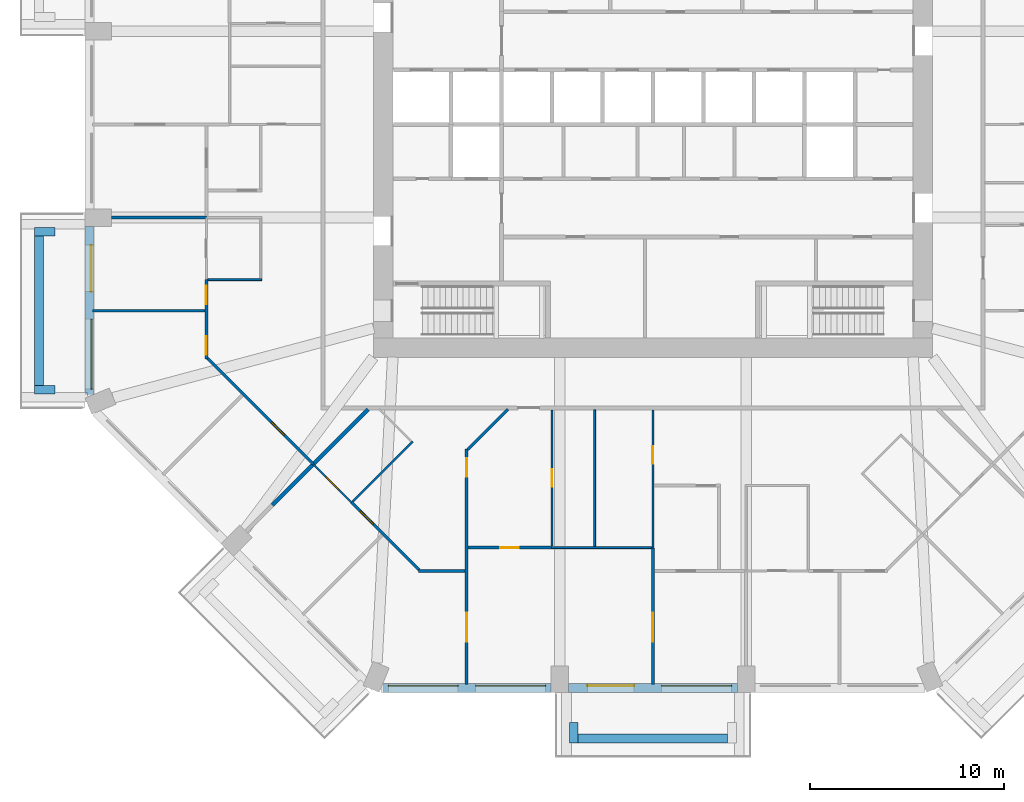
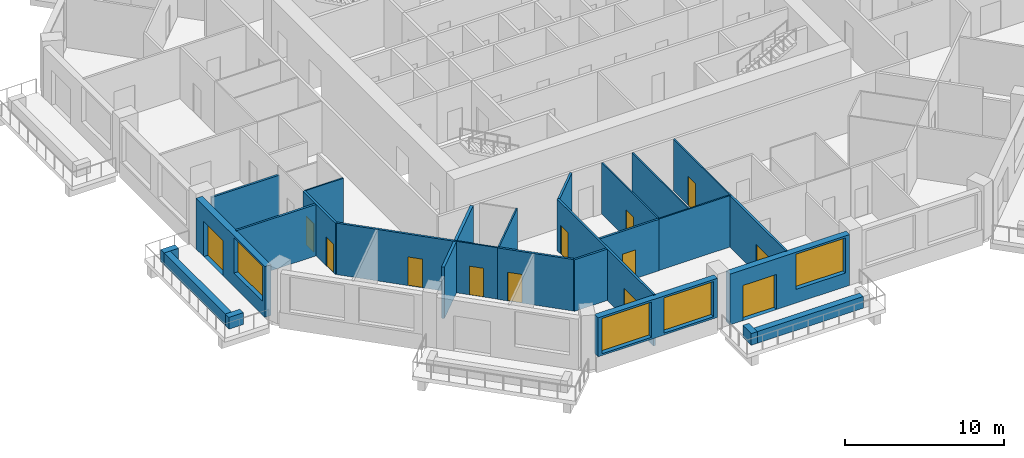
# One storey, part 3 of 13: 26 walls, 13 doors, 4 windows, 17 openings.
"""IFC4 building model written with IfcOpenShell, lengths in metres."""

import ifcopenshell
import ifcopenshell.guid

model = None  # the IFC model being written
_history = None  # IfcOwnerHistory: only IFC2X3 demands one
_inside = {}  # id of a spatial element -> (the spatial element, [elements in it])
_under = {}  # id of a project, library or spatial element -> (it, [spatial elements below it])
_declared = {}  # id of a project -> (the project, [libraries it declares])
_typed = {}  # id of a type object -> (the type object, [elements of that type])
_made_of = {}  # id of a material, layer set ... -> (it, [elements and type objects made of it])


def new_model(schema):
    """Start an empty IFC model of exactly this schema.

    Asked for "IFC4X3", IfcOpenShell would pick the latest addendum, in which some entities
    have other attributes; the version numbers below select the first issue.
    IFC2X3 requires an IfcOwnerHistory on every rooted entity: one is made here for all.
    """
    global model, _history
    if schema == "IFC4X3":
        model = ifcopenshell.file(schema_version=(4, 3, 0, 0))
    else:
        model = ifcopenshell.file(schema=schema)
    _inside.clear()
    _under.clear()
    _declared.clear()
    _typed.clear()
    _made_of.clear()
    _history = None
    if model.schema == "IFC2X3":
        org = make("IfcOrganization", Name="unknown")
        user = make(
            "IfcPersonAndOrganization",
            ThePerson=make("IfcPerson", FamilyName="unknown"),
            TheOrganization=org,
        )
        app = make(
            "IfcApplication",
            ApplicationDeveloper=org,
            Version="unknown",
            ApplicationFullName="unknown",
            ApplicationIdentifier="unknown",
        )
        _history = make(
            "IfcOwnerHistory",
            OwningUser=user,
            OwningApplication=app,
            ChangeAction="ADDED",
            CreationDate=0,
        )
    return model


def make(cls, **values):
    """One entity of the class cls with the attributes given. An attribute that is None is left unset."""
    return model.create_entity(
        cls, **{name: value for name, value in values.items() if value is not None}
    )


def rooted(cls, **values):
    """An entity with a GlobalId (a new one), such as an element, a storey or a relation."""
    return make(cls, GlobalId=ifcopenshell.guid.new(), OwnerHistory=_history, **values)


def si_unit(unit_type, name, prefix=None):
    """IfcSIUnit, for example si_unit("LENGTHUNIT", "METRE", prefix="MILLI")."""
    return make("IfcSIUnit", UnitType=unit_type, Prefix=prefix, Name=name)


def assignment(units):
    """IfcUnitAssignment: the units of a project."""
    return None if units is None else make("IfcUnitAssignment", Units=units)


def point(xyz):
    """IfcCartesianPoint."""
    return None if xyz is None else make("IfcCartesianPoint", Coordinates=xyz)


def direction(xyz):
    """IfcDirection."""
    return None if xyz is None else make("IfcDirection", DirectionRatios=xyz)


def frame(location, z_axis=None, x_axis=None):
    """IfcAxis2Placement3D, a coordinate frame: its origin and axes. An axis left out is left unset."""
    return make(
        "IfcAxis2Placement3D",
        Location=point(location),
        Axis=direction(z_axis),
        RefDirection=direction(x_axis),
    )


def frame_2d(location, x_axis=None):
    """IfcAxis2Placement2D, a coordinate frame in the plane: its origin and x axis."""
    return make(
        "IfcAxis2Placement2D", Location=point(location), RefDirection=direction(x_axis)
    )


def origin():
    """The frame at (0, 0, 0) with its axes left unset."""
    return frame((0.0, 0.0, 0.0))


def place(relative_to, where):
    """IfcLocalPlacement: puts the frame where relative to a parent placement (None: the world)."""
    return make(
        "IfcLocalPlacement", PlacementRelTo=relative_to, RelativePlacement=where
    )


def context(
    kind, dimensions, precision=None, world=None, true_north=None, identifier=None
):
    """IfcGeometricRepresentationContext, for example the 3D "Model" context."""
    return make(
        "IfcGeometricRepresentationContext",
        ContextIdentifier=identifier,
        ContextType=kind,
        CoordinateSpaceDimension=dimensions,
        Precision=precision,
        WorldCoordinateSystem=world,
        TrueNorth=true_north,
    )


def subcontext(parent, identifier, kind, view, scale=None):
    """IfcGeometricRepresentationSubContext, for example "Body" below "Model"."""
    return make(
        "IfcGeometricRepresentationSubContext",
        ContextIdentifier=identifier,
        ContextType=kind,
        ParentContext=parent,
        TargetScale=scale,
        TargetView=view,
    )


def project(units=None, contexts=None):
    """IfcProject with its units and contexts."""
    return rooted(
        "IfcProject",
        Name="project",
        RepresentationContexts=contexts,
        UnitsInContext=assignment(units),
    )


def spatial(cls, under=None, at=None, **own):
    """A site, building, storey or space (cls), placed at a placement, below another one or the project."""
    s = rooted(cls, ObjectPlacement=at, **own)
    if under is not None:
        _under.setdefault(under.id(), (under, []))[1].append(s)
    return s


def profile(cls, at=None, kind="AREA", **sizes):
    """A parametric profile (cls). Its sizes go by their IFC names, for example OverallWidth=200.0."""
    return make(cls, ProfileType=kind, Position=at, **sizes)


def rectangle(**sizes):
    """IfcRectangleProfileDef."""
    return profile("IfcRectangleProfileDef", **sizes)


def extrude(swept, where, along, depth):
    """IfcExtrudedAreaSolid: the profile swept, set in the frame where, extruded along a direction by depth."""
    return make(
        "IfcExtrudedAreaSolid",
        SweptArea=swept,
        Position=where,
        ExtrudedDirection=direction(along),
        Depth=depth,
    )


def shape(context_of_items, identifier, shape_type, items):
    """IfcShapeRepresentation: the items that make up one representation, for example the "Body"."""
    return make(
        "IfcShapeRepresentation",
        ContextOfItems=context_of_items,
        RepresentationIdentifier=identifier,
        RepresentationType=shape_type,
        Items=items,
    )


def material(Name=None, Category=None):
    """IfcMaterial."""
    return make("IfcMaterial", Name=Name, Category=Category)


def layer(
    of_material, thickness, ventilated=None, Name=None, Category=None, Priority=None
):
    """IfcMaterialLayer: one layer of a wall or slab, of a material (None: an air gap)."""
    return make(
        "IfcMaterialLayer",
        Material=of_material,
        LayerThickness=thickness,
        IsVentilated=ventilated,
        Name=Name,
        Category=Category,
        Priority=Priority,
    )


def layer_set(layers, Name=None):
    """IfcMaterialLayerSet."""
    return make("IfcMaterialLayerSet", MaterialLayers=layers, LayerSetName=Name)


def made_of(thing, what):
    """Note that an element or type object is made of a material, layer set ...; save() writes the relation."""
    if what is not None:
        _made_of.setdefault(what.id(), (what, []))[1].append(thing)
    return thing


def type_object(cls, material=None, **own):
    """A type object (cls), such as IfcWallType, which elements share."""
    return made_of(rooted(cls, **own), material)


def element(
    cls,
    number,
    at=None,
    inside=None,
    cuts=None,
    type_object=None,
    material=None,
    context=None,
    identifier="Body",
    shape_type=None,
    held_by="IfcProductDefinitionShape",
    body=None,
    shapes=None,
    **own,
):
    """One element of the class cls, such as IfcWall. Its Tag is "e" and its number.

    at: its placement. inside: the storey or other place that contains it. cuts: it is an
    opening in that element (IfcRelVoidsElement). A single representation is given by context,
    identifier, shape_type and body (its items); several are given by shapes. held_by: the class
    of the entity that holds the representations. save() writes the other relations.
    """
    e = rooted(cls, Tag="e%d" % number, ObjectPlacement=at, **own)
    if body is not None:
        shapes = [shape(context, identifier, shape_type, body)]
    if shapes is not None:
        e.Representation = make(held_by, Representations=shapes)
    if inside is not None:
        _inside.setdefault(inside.id(), (inside, []))[1].append(e)
    if cuts is not None:
        rooted(
            "IfcRelVoidsElement", RelatingBuildingElement=cuts, RelatedOpeningElement=e
        )
    if type_object is not None:
        _typed.setdefault(type_object.id(), (type_object, []))[1].append(e)
    return made_of(e, material)


def fill(opening, filler):
    """IfcRelFillsElement: the door or window that sits in an opening."""
    return rooted(
        "IfcRelFillsElement",
        RelatingOpeningElement=opening,
        RelatedBuildingElement=filler,
    )


def aggregate(whole, parts):
    """IfcRelAggregates: a whole, such as a stair, and the parts it consists of."""
    return rooted("IfcRelAggregates", RelatingObject=whole, RelatedObjects=parts)


def save(model, path):
    """Write the relations noted so far, then the file.

    IfcRelAggregates (storeys below a building ...), IfcRelContainedInSpatialStructure (elements
    in a storey), IfcRelDefinesByType, IfcRelAssociatesMaterial and IfcRelDeclares: one each for
    every whole, place, type object, material and project.
    """
    for whole, parts in _under.values():
        aggregate(whole, parts)
    for where, things in _inside.values():
        rooted(
            "IfcRelContainedInSpatialStructure",
            RelatedElements=things,
            RelatingStructure=where,
        )
    for kind, things in _typed.values():
        rooted("IfcRelDefinesByType", RelatedObjects=things, RelatingType=kind)
    for what, things in _made_of.values():
        rooted("IfcRelAssociatesMaterial", RelatedObjects=things, RelatingMaterial=what)
    for by, libraries in _declared.values():
        rooted("IfcRelDeclares", RelatingContext=by, RelatedDefinitions=libraries)
    model.write(path)


model = new_model("IFC4")

# Units and contexts
model_context = context("Model", 3, precision=1e-05, world=origin(), true_north=direction((0.0, 1.0)))
body_context = subcontext(model_context, "Body", "Model", "MODEL_VIEW")
ifc_project = project(units=[si_unit("LENGTHUNIT", "METRE"), si_unit("AREAUNIT", "SQUARE_METRE"), si_unit("VOLUMEUNIT", "CUBIC_METRE"), si_unit("PLANEANGLEUNIT", "RADIAN"), si_unit("MASSUNIT", "GRAM", prefix="KILO")], contexts=[model_context])

# Site, building, storey
site_placement = place(None, origin())
site = spatial("IfcSite", under=ifc_project, at=site_placement, CompositionType="ELEMENT")
building_placement = place(site_placement, origin())
building = spatial("IfcBuilding", under=site, at=building_placement, Name="Msitu Wima Residences", CompositionType="ELEMENT")
storey_placement = place(building_placement, frame((0.0, 0.0, 25.5)))
storey = spatial("IfcBuildingStorey", under=building, at=storey_placement, Name="L05", CompositionType="ELEMENT", Elevation=25.5)

# Walls
ifc_material_1 = material(Name="Facing brick")
ifc_layer_1 = layer(ifc_material_1, 0.06494140625, Name="Facing brick")
ifc_material_2 = material(Name="Concrete C40/50", Category="concrete")
ifc_layer_2 = layer(ifc_material_2, 0.156005859375, Name="Concrete C40/50")
ifc_material_3 = material(Name="Waterproofing membrane")
ifc_layer_3 = layer(ifc_material_3, 0.00390625, Name="Waterproofing membrane")
ifc_material_4 = material(Name="Planting soil and planting")
ifc_layer_4 = layer(ifc_material_4, 0.22509765625, Name="Planting soil and planting")
ifc_layer_set_1 = layer_set([ifc_layer_1, ifc_layer_2, ifc_layer_3, ifc_layer_4], Name="Concrete C40/50")
wall_type_1 = type_object("IfcWallType", Name="Balcony planter PLANTER PL450", PredefinedType="USERDEFINED", material=ifc_layer_set_1)
wall_1_placement = place(storey_placement, frame((-31.625, -5.75, 0.0), z_axis=(0.0, 0.0, 1.0), x_axis=(0.0, -1.0, 0.0)))
element("IfcWall", 1, at=wall_1_placement, inside=storey, type_object=wall_type_1, Name="Balcony planter W2 L05", ObjectType="PLANTER", PredefinedType="USERDEFINED", context=body_context, shape_type="SweptSolid", body=[
    extrude(rectangle(XDim=7.699951171875, YDim=0.449951171875, at=frame_2d((3.85009765625, 0.0))), origin(), (0.0, 0.0, 1.0), 0.89990234375),
])
for number, where, z_axis, x_axis, name in (
    (2, (-30.800048828125, -5.52490234375, 0.0), (0.0, 0.0, 1.0), (-1.0, 0.0, 0.0), "Balcony planter W2 L05"),
    (3, (-30.800048828125, -13.675048828125, 0.0), (0.0, 0.0, 1.0), (-1.0, 0.0, 0.0), "Balcony planter W2 L05"),
):
    element("IfcWall", number, at=place(storey_placement, frame(where, z_axis=z_axis, x_axis=x_axis)), inside=storey, type_object=wall_type_1, Name=name, ObjectType="PLANTER", PredefinedType="USERDEFINED", context=body_context, shape_type="SweptSolid", body=[
        extrude(rectangle(XDim=1.050048828125, YDim=0.449951171875, at=frame_2d((0.52490234375, 0.0))), origin(), (0.0, 0.0, 1.0), 0.89990234375),
    ])
wall_2_placement = place(storey_placement, frame((-3.85009765625, -31.625, 0.0), z_axis=(0.0, 0.0, 1.0), x_axis=(1.0, 0.0, 0.0)))
element("IfcWall", 4, at=wall_2_placement, inside=storey, type_object=wall_type_1, Name="Balcony planter S1 L05", ObjectType="PLANTER", PredefinedType="USERDEFINED", context=body_context, shape_type="SweptSolid", body=[
    extrude(rectangle(XDim=7.7001953125, YDim=0.449951171875, at=frame_2d((3.85009765625, 0.0))), origin(), (0.0, 0.0, 1.0), 0.89990234375),
])
wall_3_placement = place(storey_placement, frame((-4.074951171875, -30.800048828125, 0.0), z_axis=(0.0, 0.0, 1.0), x_axis=(0.0, -1.0, 0.0)))
element("IfcWall", 5, at=wall_3_placement, inside=storey, type_object=wall_type_1, Name="Balcony planter S1 L05", ObjectType="PLANTER", PredefinedType="USERDEFINED", context=body_context, shape_type="SweptSolid", body=[
    extrude(rectangle(XDim=1.050048828125, YDim=0.449951171875, at=frame_2d((0.52490234375, 0.0))), origin(), (0.0, 0.0, 1.0), 0.89990234375),
])

# Wall, openings, door, window
ifc_material_5 = material(Name="Brick (red buff mix)", Category="masonry")
ifc_layer_5 = layer(ifc_material_5, 0.449951171875)
ifc_layer_set_2 = layer_set([ifc_layer_5], Name="Brick (red buff mix)")
wall_type_2 = type_object("IfcWallType", Name="Brick infill wall BW450", PredefinedType="SOLIDWALL", material=ifc_layer_set_2)
wall_4_placement = place(storey_placement, frame((-29.02490234375, -5.25, 0.0), z_axis=(0.0, 0.0, 1.0), x_axis=(0.0, -1.0, 0.0)))
wall_4 = element("IfcWall", 6, at=wall_4_placement, inside=storey, type_object=wall_type_2, Name="Brick infill wall L05 W2", PredefinedType="SOLIDWALL", context=body_context, shape_type="SweptSolid", body=[
    extrude(rectangle(XDim=8.662841796875, YDim=0.449951171875, at=frame_2d((4.33154296875, 0.0))), origin(), (0.0, 0.0, 1.0), 3.89990234375),
])
opening_1_placement = place(wall_4_placement, frame((0.9658203125, 0.0, 0.0)))
opening_1 = element("IfcOpeningElement", 7, at=opening_1_placement, cuts=wall_4, Name="Opening D05-07.010", PredefinedType="OPENING", context=body_context, shape_type="SweptSolid", body=[
    extrude(rectangle(XDim=2.39990234375, YDim=2.699951171875, at=frame_2d((1.199951171875, 1.35009765625))), frame((0.0, 0.23486328125, 0.0), z_axis=(0.0, -1.0, 0.0), x_axis=(1.0, 0.0, 0.0)), (0.0, 0.0, 1.0), 0.469970703125),
])
opening_2_placement = place(wall_4_placement, frame((4.781494140625, 0.0, 1.050048828125)))
opening_2 = element("IfcOpeningElement", 8, at=opening_2_placement, cuts=wall_4, Name="Opening W05-07.030", PredefinedType="OPENING", context=body_context, shape_type="SweptSolid", body=[
    extrude(rectangle(XDim=3.60009765625, YDim=2.699951171875, at=frame_2d((1.800048828125, 1.35009765625))), frame((0.0, 0.23486328125, 0.0), z_axis=(0.0, -1.0, 0.0), x_axis=(1.0, 0.0, 0.0)), (0.0, 0.0, 1.0), 0.469970703125),
])
ifc_material_6 = material(Name="Anodised aluminium, bronze finish, clear low-emissivity double glazing", Category="aluminium")
door_type_1 = type_object("IfcDoorType", Name="Balcony door D2400x2700", OperationType="SLIDING_TO_LEFT", PredefinedType="DOOR", material=ifc_material_6)
door_1_placement = place(opening_1_placement, origin())
door_1 = element("IfcDoor", 9, at=door_1_placement, inside=storey, type_object=door_type_1, Name="Balcony door L05 W2", OperationType="SINGLE_SWING_LEFT", OverallHeight=2.699951171875, OverallWidth=2.39990234375, PredefinedType="DOOR", context=body_context, shape_type="SweptSolid", body=[
    extrude(rectangle(XDim=2.39990234375, YDim=2.699951171875, at=frame_2d((1.199951171875, 1.35009765625))), frame((0.0, 0.1298828125, 0.0), z_axis=(0.0, -1.0, 0.0), x_axis=(1.0, 0.0, 0.0)), (0.0, 0.0, 1.0), 0.050048828125),
])
fill(opening_1, door_1)
window_type = type_object("IfcWindowType", Name="Window W3600x2700", PartitioningType="DOUBLE_PANEL_VERTICAL", PredefinedType="WINDOW", material=ifc_material_6)
window_1_placement = place(opening_2_placement, origin())
window_1 = element("IfcWindow", 10, at=window_1_placement, inside=storey, type_object=window_type, Name="Window L05 W2.2", OverallHeight=2.699951171875, OverallWidth=3.60009765625, PartitioningType="SINGLE_PANEL", PredefinedType="WINDOW", context=body_context, shape_type="SweptSolid", body=[
    extrude(rectangle(XDim=3.60009765625, YDim=2.699951171875, at=frame_2d((1.800048828125, 1.35009765625))), frame((0.0, 0.135009765625, 0.0), z_axis=(0.0, -1.0, 0.0), x_axis=(1.0, 0.0, 0.0)), (0.0, 0.0, 1.0), 0.06005859375),
])
fill(opening_2, window_1)

# Wall, openings, windows
wall_5_placement = place(storey_placement, frame((-13.912841796875, -29.02490234375, 0.89990234375), z_axis=(0.0, 0.0, 1.0), x_axis=(1.0, 0.0, 0.0)))
wall_5 = element("IfcWall", 11, at=wall_5_placement, inside=storey, type_object=wall_type_2, Name="Brick infill wall L05 S0", PredefinedType="SOLIDWALL", context=body_context, shape_type="SweptSolid", body=[
    extrude(rectangle(XDim=8.662841796875, YDim=0.449951171875, at=frame_2d((4.33154296875, 0.0))), origin(), (0.0, 0.0, 1.0), 3.0),
])
opening_3_placement = place(wall_5_placement, frame((0.281494140625, 0.0, 0.14990234375)))
opening_3 = element("IfcOpeningElement", 12, at=opening_3_placement, cuts=wall_5, Name="Opening W05-07.016", PredefinedType="OPENING", context=body_context, shape_type="SweptSolid", body=[
    extrude(rectangle(XDim=3.60009765625, YDim=2.699951171875, at=frame_2d((1.800048828125, 1.35009765625))), frame((0.0, 0.23486328125, 0.0), z_axis=(0.0, -1.0, 0.0), x_axis=(1.0, 0.0, 0.0)), (0.0, 0.0, 1.0), 0.469970703125),
])
opening_4_placement = place(wall_5_placement, frame((4.781494140625, 0.0, 0.14990234375)))
opening_4 = element("IfcOpeningElement", 13, at=opening_4_placement, cuts=wall_5, Name="Opening W05-07.017", PredefinedType="OPENING", context=body_context, shape_type="SweptSolid", body=[
    extrude(rectangle(XDim=3.60009765625, YDim=2.699951171875, at=frame_2d((1.800048828125, 1.35009765625))), frame((0.0, 0.23486328125, 0.0), z_axis=(0.0, -1.0, 0.0), x_axis=(1.0, 0.0, 0.0)), (0.0, 0.0, 1.0), 0.469970703125),
])
window_2_placement = place(opening_3_placement, origin())
window_2 = element("IfcWindow", 14, at=window_2_placement, inside=storey, type_object=window_type, Name="Window L05 S0.1", OverallHeight=2.699951171875, OverallWidth=3.60009765625, PartitioningType="SINGLE_PANEL", PredefinedType="WINDOW", context=body_context, shape_type="SweptSolid", body=[
    extrude(rectangle(XDim=3.60009765625, YDim=2.699951171875, at=frame_2d((1.800048828125, 1.35009765625))), frame((0.0, 0.135009765625, 0.0), z_axis=(0.0, -1.0, 0.0), x_axis=(1.0, 0.0, 0.0)), (0.0, 0.0, 1.0), 0.06005859375),
])
fill(opening_3, window_2)
window_3_placement = place(opening_4_placement, origin())
window_3 = element("IfcWindow", 15, at=window_3_placement, inside=storey, type_object=window_type, Name="Window L05 S0.2", OverallHeight=2.699951171875, OverallWidth=3.60009765625, PartitioningType="SINGLE_PANEL", PredefinedType="WINDOW", context=body_context, shape_type="SweptSolid", body=[
    extrude(rectangle(XDim=3.60009765625, YDim=2.699951171875, at=frame_2d((1.800048828125, 1.35009765625))), frame((0.0, 0.135009765625, 0.0), z_axis=(0.0, -1.0, 0.0), x_axis=(1.0, 0.0, 0.0)), (0.0, 0.0, 1.0), 0.06005859375),
])
fill(opening_4, window_3)

# Wall, openings, door, window
wall_6_placement = place(storey_placement, frame((-4.35009765625, -29.02490234375, 0.0), z_axis=(0.0, 0.0, 1.0), x_axis=(1.0, 0.0, 0.0)))
wall_6 = element("IfcWall", 16, at=wall_6_placement, inside=storey, type_object=wall_type_2, Name="Brick infill wall L05 S1", PredefinedType="SOLIDWALL", context=body_context, shape_type="SweptSolid", body=[
    extrude(rectangle(XDim=8.7001953125, YDim=0.449951171875, at=frame_2d((4.35009765625, 0.0))), origin(), (0.0, 0.0, 1.0), 3.89990234375),
])
opening_5_placement = place(wall_6_placement, frame((0.97509765625, 0.0, 0.0)))
opening_5 = element("IfcOpeningElement", 17, at=opening_5_placement, cuts=wall_6, Name="Opening D05-07.006", PredefinedType="OPENING", context=body_context, shape_type="SweptSolid", body=[
    extrude(rectangle(XDim=2.39990234375, YDim=2.699951171875, at=frame_2d((1.199951171875, 1.35009765625))), frame((0.0, 0.23486328125, 0.0), z_axis=(0.0, -1.0, 0.0), x_axis=(1.0, 0.0, 0.0)), (0.0, 0.0, 1.0), 0.469970703125),
])
opening_6_placement = place(wall_6_placement, frame((4.800048828125, 0.0, 1.050048828125)))
opening_6 = element("IfcOpeningElement", 18, at=opening_6_placement, cuts=wall_6, Name="Opening W05-07.018", PredefinedType="OPENING", context=body_context, shape_type="SweptSolid", body=[
    extrude(rectangle(XDim=3.60009765625, YDim=2.699951171875, at=frame_2d((1.800048828125, 1.35009765625))), frame((0.0, 0.23486328125, 0.0), z_axis=(0.0, -1.0, 0.0), x_axis=(1.0, 0.0, 0.0)), (0.0, 0.0, 1.0), 0.469970703125),
])
door_2_placement = place(opening_5_placement, origin())
door_2 = element("IfcDoor", 19, at=door_2_placement, inside=storey, type_object=door_type_1, Name="Balcony door L05 S1", OperationType="SINGLE_SWING_LEFT", OverallHeight=2.699951171875, OverallWidth=2.39990234375, PredefinedType="DOOR", context=body_context, shape_type="SweptSolid", body=[
    extrude(rectangle(XDim=2.39990234375, YDim=2.699951171875, at=frame_2d((1.199951171875, 1.35009765625))), frame((0.0, 0.1298828125, 0.0), z_axis=(0.0, -1.0, 0.0), x_axis=(1.0, 0.0, 0.0)), (0.0, 0.0, 1.0), 0.050048828125),
])
fill(opening_5, door_2)
window_4_placement = place(opening_6_placement, origin())
window_4 = element("IfcWindow", 20, at=window_4_placement, inside=storey, type_object=window_type, Name="Window L05 S1.2", OverallHeight=2.699951171875, OverallWidth=3.60009765625, PartitioningType="SINGLE_PANEL", PredefinedType="WINDOW", context=body_context, shape_type="SweptSolid", body=[
    extrude(rectangle(XDim=3.60009765625, YDim=2.699951171875, at=frame_2d((1.800048828125, 1.35009765625))), frame((0.0, 0.135009765625, 0.0), z_axis=(0.0, -1.0, 0.0), x_axis=(1.0, 0.0, 0.0)), (0.0, 0.0, 1.0), 0.06005859375),
])
fill(opening_6, window_4)

# Walls
ifc_material_7 = material(Name="Plaster")
ifc_layer_6 = layer(ifc_material_7, 0.011962890625, Name="Plaster")
ifc_material_8 = material(Name="Concrete blockwork", Category="masonry")
ifc_layer_7 = layer(ifc_material_8, 0.1259765625, Name="Concrete blockwork")
ifc_layer_8 = layer(ifc_material_7, 0.011962890625, Name="Plaster")
ifc_layer_set_3 = layer_set([ifc_layer_6, ifc_layer_7, ifc_layer_8], Name="Concrete blockwork")
wall_type_3 = type_object("IfcWallType", Name="Partition PW150", PredefinedType="PARTITIONING", material=ifc_layer_set_3)
wall_7_placement = place(storey_placement, frame((-28.85498046875, -9.60009765625, 0.0), z_axis=(0.0, 0.0, 1.0), x_axis=(1.0, 0.0, 0.0)))
element("IfcWall", 21, at=wall_7_placement, inside=storey, type_object=wall_type_3, Name="Partition", PredefinedType="PARTITIONING", context=body_context, shape_type="SweptSolid", body=[
    extrude(rectangle(XDim=5.780029296875, YDim=0.14990234375, at=frame_2d((2.89013671875, 0.0))), origin(), (0.0, 0.0, 1.0), 3.949951171875),
])
wall_8_placement = place(storey_placement, frame((-27.89990234375, -4.800048828125, 0.0), z_axis=(0.0, 0.0, 1.0), x_axis=(1.0, 0.0, 0.0)))
element("IfcWall", 22, at=wall_8_placement, inside=storey, type_object=wall_type_3, Name="Partition", PredefinedType="PARTITIONING", context=body_context, shape_type="SweptSolid", body=[
    extrude(rectangle(XDim=4.919921875, YDim=0.14990234375, at=frame_2d((2.4599609375, 0.0))), origin(), (0.0, 0.0, 1.0), 3.25),
])

# Wall, openings, doors
wall_9_placement = place(storey_placement, frame((-23.0, -12.072509765625, 0.0), z_axis=(0.0, 0.0, 1.0), x_axis=(0.0, 1.0, 0.0)))
wall_9 = element("IfcWall", 23, at=wall_9_placement, inside=storey, type_object=wall_type_3, Name="Partition", PredefinedType="PARTITIONING", context=body_context, shape_type="SweptSolid", body=[
    extrude(rectangle(XDim=4.072509765625, YDim=0.14990234375, at=frame_2d((2.0361328125, 0.0))), origin(), (0.0, 0.0, 1.0), 3.949951171875),
])
opening_7_placement = place(wall_9_placement, frame((2.800048828125, 0.0, 0.0)))
opening_7 = element("IfcOpeningElement", 24, at=opening_7_placement, cuts=wall_9, Name="Opening D05-07.073", PredefinedType="OPENING", context=body_context, shape_type="SweptSolid", body=[
    extrude(rectangle(XDim=0.949951171875, YDim=2.199951171875, at=frame_2d((0.47509765625, 1.10009765625))), frame((0.0, 0.0849609375, 0.0), z_axis=(0.0, -1.0, 0.0), x_axis=(1.0, 0.0, 0.0)), (0.0, 0.0, 1.0), 0.169921875),
])
opening_8_placement = place(wall_9_placement, frame((0.199951171875, 0.0, 0.0)))
opening_8 = element("IfcOpeningElement", 25, at=opening_8_placement, cuts=wall_9, Name="Opening D05-07.077", PredefinedType="OPENING", context=body_context, shape_type="SweptSolid", body=[
    extrude(rectangle(XDim=0.949951171875, YDim=2.199951171875, at=frame_2d((0.47509765625, 1.10009765625))), frame((0.0, 0.0849609375, 0.0), z_axis=(0.0, -1.0, 0.0), x_axis=(1.0, 0.0, 0.0)), (0.0, 0.0, 1.0), 0.169921875),
])
ifc_material_9 = material(Name="Timber flush door", Category="wood")
door_type_2 = type_object("IfcDoorType", Name="Room door D12 950x2200", OperationType="SINGLE_SWING_LEFT", PredefinedType="DOOR", material=ifc_material_9)
door_3_placement = place(opening_7_placement, origin())
door_3 = element("IfcDoor", 26, at=door_3_placement, inside=storey, type_object=door_type_2, Name="Room door", OperationType="SINGLE_SWING_LEFT", OverallHeight=2.199951171875, OverallWidth=0.949951171875, PredefinedType="DOOR", context=body_context, shape_type="SweptSolid", body=[
    extrude(rectangle(XDim=0.949951171875, YDim=2.199951171875, at=frame_2d((0.47509765625, 1.10009765625))), frame((0.0, 0.02490234375, 0.0), z_axis=(0.0, -1.0, 0.0), x_axis=(1.0, 0.0, 0.0)), (0.0, 0.0, 1.0), 0.050048828125),
])
fill(opening_7, door_3)
door_4_placement = place(opening_8_placement, origin())
door_4 = element("IfcDoor", 27, at=door_4_placement, inside=storey, type_object=door_type_2, Name="Room door", OperationType="SINGLE_SWING_RIGHT", OverallHeight=2.199951171875, OverallWidth=0.949951171875, PredefinedType="DOOR", context=body_context, shape_type="SweptSolid", body=[
    extrude(rectangle(XDim=0.949951171875, YDim=2.199951171875, at=frame_2d((0.47509765625, 1.10009765625))), frame((0.0, 0.02490234375, 0.0), z_axis=(0.0, -1.0, 0.0), x_axis=(1.0, 0.0, 0.0)), (0.0, 0.0, 1.0), 0.050048828125),
])
fill(opening_8, door_4)

# Wall, opening, door
wall_10_placement = place(storey_placement, frame((-22.947021484375, -12.050537109375, 0.0), z_axis=(0.0, 0.0, 1.0), x_axis=(0.707106781187, -0.707106781187, 0.0)))
wall_10 = element("IfcWall", 28, at=wall_10_placement, inside=storey, type_object=wall_type_3, Name="Partition", PredefinedType="PARTITIONING", context=body_context, shape_type="SweptSolid", body=[
    extrude(rectangle(XDim=7.705078125, YDim=0.14990234375, at=frame_2d((3.8525390625, 0.0))), origin(), (0.0, 0.0, 1.0), 3.949951171875),
])
opening_9_placement = place(wall_10_placement, frame((4.64990234375, 0.0, 0.0)))
opening_9 = element("IfcOpeningElement", 29, at=opening_9_placement, cuts=wall_10, Name="Opening D05-07.072", PredefinedType="OPENING", context=body_context, shape_type="SweptSolid", body=[
    extrude(rectangle(XDim=0.949951171875, YDim=2.199951171875, at=frame_2d((0.47509765625, 1.10009765625))), frame((0.0, 0.0849609375, 0.0), z_axis=(0.0, -1.0, 0.0), x_axis=(1.0, 0.0, 0.0)), (0.0, 0.0, 1.0), 0.169921875),
])
door_5_placement = place(opening_9_placement, origin())
door_5 = element("IfcDoor", 30, at=door_5_placement, inside=storey, type_object=door_type_2, Name="Room door", OperationType="SINGLE_SWING_RIGHT", OverallHeight=2.199951171875, OverallWidth=0.949951171875, PredefinedType="DOOR", context=body_context, shape_type="SweptSolid", body=[
    extrude(rectangle(XDim=0.949951171875, YDim=2.199951171875, at=frame_2d((0.47509765625, 1.10009765625))), frame((0.0, 0.02490234375, 0.0), z_axis=(0.0, -1.0, 0.0), x_axis=(1.0, 0.0, 0.0)), (0.0, 0.0, 1.0), 0.050048828125),
])
fill(opening_9, door_5)

wall_11_placement = place(storey_placement, frame((-15.532958984375, -19.464599609375, 0.0), z_axis=(0.0, 0.0, 1.0), x_axis=(0.707106781187, -0.707106781187, 0.0)))
wall_11 = element("IfcWall", 31, at=wall_11_placement, inside=storey, type_object=wall_type_3, Name="Partition", PredefinedType="PARTITIONING", context=body_context, shape_type="SweptSolid", body=[
    extrude(rectangle(XDim=4.9248046875, YDim=0.14990234375, at=frame_2d((2.46240234375, 0.0))), origin(), (0.0, 0.0, 1.0), 3.949951171875),
])
opening_10_placement = place(wall_11_placement, frame((0.64990234375, 0.0, 0.0)))
opening_10 = element("IfcOpeningElement", 32, at=opening_10_placement, cuts=wall_11, Name="Opening D05-07.082", PredefinedType="OPENING", context=body_context, shape_type="SweptSolid", body=[
    extrude(rectangle(XDim=0.949951171875, YDim=2.199951171875, at=frame_2d((0.47509765625, 1.10009765625))), frame((0.0, 0.0849609375, 0.0), z_axis=(0.0, -1.0, 0.0), x_axis=(1.0, 0.0, 0.0)), (0.0, 0.0, 1.0), 0.169921875),
])
door_6_placement = place(opening_10_placement, origin())
door_6 = element("IfcDoor", 33, at=door_6_placement, inside=storey, type_object=door_type_2, Name="Room door", OperationType="SINGLE_SWING_LEFT", OverallHeight=2.199951171875, OverallWidth=0.949951171875, PredefinedType="DOOR", context=body_context, shape_type="SweptSolid", body=[
    extrude(rectangle(XDim=0.949951171875, YDim=2.199951171875, at=frame_2d((0.47509765625, 1.10009765625))), frame((0.0, 0.02490234375, 0.0), z_axis=(0.0, -1.0, 0.0), x_axis=(1.0, 0.0, 0.0)), (0.0, 0.0, 1.0), 0.050048828125),
])
fill(opening_10, door_6)

# Wall
wall_12_placement = place(storey_placement, frame((-12.072509765625, -23.0, 0.0), z_axis=(0.0, 0.0, 1.0), x_axis=(1.0, 0.0, 0.0)))
element("IfcWall", 34, at=wall_12_placement, inside=storey, type_object=wall_type_3, Name="Partition", PredefinedType="PARTITIONING", context=body_context, shape_type="SweptSolid", body=[
    extrude(rectangle(XDim=2.3974609375, YDim=0.14990234375, at=frame_2d((1.19873046875, 0.0))), origin(), (0.0, 0.0, 1.0), 3.949951171875),
])

# Wall, openings, doors
wall_13_placement = place(storey_placement, frame((-9.60009765625, -28.85498046875, 0.0), z_axis=(0.0, 0.0, 1.0), x_axis=(0.0, 1.0, 0.0)))
wall_13 = element("IfcWall", 35, at=wall_13_placement, inside=storey, type_object=wall_type_3, Name="Partition", PredefinedType="PARTITIONING", context=body_context, shape_type="SweptSolid", body=[
    extrude(rectangle(XDim=12.1298828125, YDim=0.14990234375, at=frame_2d((6.06494140625, 0.0))), origin(), (0.0, 0.0, 1.0), 3.949951171875),
])
opening_11_placement = place(wall_13_placement, frame((10.699951171875, 0.0, 0.0)))
opening_11 = element("IfcOpeningElement", 36, at=opening_11_placement, cuts=wall_13, Name="Opening D05-07.078", PredefinedType="OPENING", context=body_context, shape_type="SweptSolid", body=[
    extrude(rectangle(XDim=0.949951171875, YDim=2.199951171875, at=frame_2d((0.47509765625, 1.10009765625))), frame((0.0, 0.0849609375, 0.0), z_axis=(0.0, -1.0, 0.0), x_axis=(1.0, 0.0, 0.0)), (0.0, 0.0, 1.0), 0.169921875),
])
opening_12_placement = place(wall_13_placement, frame((2.199951171875, 0.0, 0.0)))
opening_12 = element("IfcOpeningElement", 37, at=opening_12_placement, cuts=wall_13, Name="Opening D05-07.085", PredefinedType="OPENING", context=body_context, shape_type="SweptSolid", body=[
    extrude(rectangle(XDim=1.5, YDim=2.199951171875, at=frame_2d((0.75, 1.10009765625))), frame((0.0, 0.0849609375, 0.0), z_axis=(0.0, -1.0, 0.0), x_axis=(1.0, 0.0, 0.0)), (0.0, 0.0, 1.0), 0.169921875),
])
ifc_material_10 = material(Name="Timber double door", Category="wood")
door_type_3 = type_object("IfcDoorType", Name="Double door D04 1500x2200", OperationType="DOUBLE_DOOR_SINGLE_SWING", PredefinedType="DOOR", material=ifc_material_10)
door_7_placement = place(opening_12_placement, origin())
door_7 = element("IfcDoor", 38, at=door_7_placement, inside=storey, type_object=door_type_3, Name="Double door", OperationType="DOUBLE_DOOR_SINGLE_SWING", OverallHeight=2.199951171875, OverallWidth=1.5, PredefinedType="DOOR", context=body_context, shape_type="SweptSolid", body=[
    extrude(rectangle(XDim=1.5, YDim=2.199951171875, at=frame_2d((0.75, 1.10009765625))), frame((0.0, 0.02490234375, 0.0), z_axis=(0.0, -1.0, 0.0), x_axis=(1.0, 0.0, 0.0)), (0.0, 0.0, 1.0), 0.050048828125),
])
fill(opening_12, door_7)
door_8_placement = place(opening_11_placement, origin())
door_8 = element("IfcDoor", 39, at=door_8_placement, inside=storey, type_object=door_type_2, Name="Room door", OperationType="SINGLE_SWING_RIGHT", OverallHeight=2.199951171875, OverallWidth=0.949951171875, PredefinedType="DOOR", context=body_context, shape_type="SweptSolid", body=[
    extrude(rectangle(XDim=0.949951171875, YDim=2.199951171875, at=frame_2d((0.47509765625, 1.10009765625))), frame((0.0, 0.02490234375, 0.0), z_axis=(0.0, -1.0, 0.0), x_axis=(1.0, 0.0, 0.0)), (0.0, 0.0, 1.0), 0.050048828125),
])
fill(opening_11, door_8)

# Wall, opening, door
wall_14_placement = place(storey_placement, frame((-9.52490234375, -21.800048828125, 0.0), z_axis=(0.0, 0.0, 1.0), x_axis=(1.0, 0.0, 0.0)))
wall_14 = element("IfcWall", 40, at=wall_14_placement, inside=storey, type_object=wall_type_3, Name="Partition", PredefinedType="PARTITIONING", context=body_context, shape_type="SweptSolid", body=[
    extrude(rectangle(XDim=4.304931640625, YDim=0.14990234375, at=frame_2d((2.15234375, 0.0))), origin(), (0.0, 0.0, 1.0), 3.949951171875),
])
opening_13_placement = place(wall_14_placement, frame((1.64990234375, 0.0, 0.0)))
opening_13 = element("IfcOpeningElement", 41, at=opening_13_placement, cuts=wall_14, Name="Opening D05-07.079", PredefinedType="OPENING", context=body_context, shape_type="SweptSolid", body=[
    extrude(rectangle(XDim=0.949951171875, YDim=2.199951171875, at=frame_2d((0.47509765625, 1.10009765625))), frame((0.0, 0.0849609375, 0.0), z_axis=(0.0, -1.0, 0.0), x_axis=(1.0, 0.0, 0.0)), (0.0, 0.0, 1.0), 0.169921875),
])
door_9_placement = place(opening_13_placement, origin())
door_9 = element("IfcDoor", 42, at=door_9_placement, inside=storey, type_object=door_type_2, Name="Room door", OperationType="SINGLE_SWING_RIGHT", OverallHeight=2.199951171875, OverallWidth=0.949951171875, PredefinedType="DOOR", context=body_context, shape_type="SweptSolid", body=[
    extrude(rectangle(XDim=0.949951171875, YDim=2.199951171875, at=frame_2d((0.47509765625, 1.10009765625))), frame((0.0, 0.02490234375, 0.0), z_axis=(0.0, -1.0, 0.0), x_axis=(1.0, 0.0, 0.0)), (0.0, 0.0, 1.0), 0.050048828125),
])
fill(opening_13, door_9)

# Wall
wall_15_placement = place(storey_placement, frame((-9.546875, -16.7470703125, 0.0), z_axis=(0.0, 0.0, 1.0), x_axis=(0.707065207457, 0.707148352472, 0.0)))
element("IfcWall", 43, at=wall_15_placement, inside=storey, type_object=wall_type_3, Name="Partition", PredefinedType="PARTITIONING", context=body_context, shape_type="SweptSolid", body=[
    extrude(rectangle(XDim=2.936279296875, YDim=0.14990234375, at=frame_2d((1.46826171875, 0.0))), origin(), (0.0, 0.0, 1.0), 3.949951171875),
])

# Wall, opening, door
wall_16_placement = place(storey_placement, frame((0.0, -28.85498046875, 0.0), z_axis=(0.0, 0.0, 1.0), x_axis=(0.0, 1.0, 0.0)))
wall_16 = element("IfcWall", 44, at=wall_16_placement, inside=storey, type_object=wall_type_3, Name="Partition", PredefinedType="PARTITIONING", context=body_context, shape_type="SweptSolid", body=[
    extrude(rectangle(XDim=7.034912109375, YDim=0.14990234375, at=frame_2d((3.517578125, 0.0))), origin(), (0.0, 0.0, 1.0), 3.949951171875),
])
opening_14_placement = place(wall_16_placement, frame((2.199951171875, 0.0, 0.0)))
opening_14 = element("IfcOpeningElement", 45, at=opening_14_placement, cuts=wall_16, Name="Opening D05-07.080", PredefinedType="OPENING", context=body_context, shape_type="SweptSolid", body=[
    extrude(rectangle(XDim=1.5, YDim=2.199951171875, at=frame_2d((0.75, 1.10009765625))), frame((0.0, 0.0849609375, 0.0), z_axis=(0.0, -1.0, 0.0), x_axis=(1.0, 0.0, 0.0)), (0.0, 0.0, 1.0), 0.169921875),
])
door_10_placement = place(opening_14_placement, origin())
door_10 = element("IfcDoor", 46, at=door_10_placement, inside=storey, type_object=door_type_3, Name="Double door", OperationType="DOUBLE_DOOR_SINGLE_SWING", OverallHeight=2.199951171875, OverallWidth=1.5, PredefinedType="DOOR", context=body_context, shape_type="SweptSolid", body=[
    extrude(rectangle(XDim=1.5, YDim=2.199951171875, at=frame_2d((0.75, 1.10009765625))), frame((0.0, 0.02490234375, 0.0), z_axis=(0.0, -1.0, 0.0), x_axis=(1.0, 0.0, 0.0)), (0.0, 0.0, 1.0), 0.050048828125),
])
fill(opening_14, door_10)

# Walls
ifc_layer_9 = layer(ifc_material_7, 0.011962890625, Name="Plaster")
ifc_material_11 = material(Name="Dense concrete blockwork", Category="masonry")
ifc_layer_10 = layer(ifc_material_11, 0.176025390625, Name="Dense concrete blockwork")
ifc_layer_11 = layer(ifc_material_7, 0.011962890625, Name="Plaster")
ifc_layer_set_4 = layer_set([ifc_layer_9, ifc_layer_10, ifc_layer_11], Name="Dense concrete blockwork")
wall_type_4 = type_object("IfcWallType", Name="Party wall PW200", PredefinedType="PARTITIONING", material=ifc_layer_set_4)
wall_17_placement = place(storey_placement, frame((-19.605712890625, -19.605712890625, 0.0), z_axis=(0.0, 0.0, 1.0), x_axis=(0.707106781187, 0.707106781187, 0.0)))
element("IfcWall", 47, at=wall_17_placement, inside=storey, type_object=wall_type_4, Name="Party wall", PredefinedType="PARTITIONING", context=body_context, shape_type="SweptSolid", body=[
    extrude(rectangle(XDim=6.979248046875, YDim=0.199951171875, at=frame_2d((3.48974609375, 0.0))), origin(), (0.0, 0.0, 1.0), 3.949951171875),
])
ifc_material_12 = material(Name="Ceramic tiles")
ifc_layer_12 = layer(ifc_material_12, 0.008056640625, Name="Ceramic tiles")
ifc_material_13 = material(Name="Moisture-resistant board")
ifc_layer_13 = layer(ifc_material_13, 0.012451171875, Name="Moisture-resistant board")
ifc_material_14 = material(Name="Light-gauge stud framing with mineral wool")
ifc_layer_14 = layer(ifc_material_14, 0.06689453125, Name="Light-gauge stud framing with mineral wool")
ifc_layer_15 = layer(ifc_material_13, 0.012451171875, Name="Moisture-resistant board")
ifc_layer_set_5 = layer_set([ifc_layer_12, ifc_layer_13, ifc_layer_14, ifc_layer_15], Name="Light-gauge stud framing with mineral wool")
wall_type_5 = type_object("IfcWallType", Name="Wet wall PW100", PredefinedType="PARTITIONING", material=ifc_layer_set_5)
wall_18_placement = place(storey_placement, frame((-22.925048828125, -8.0, 0.0), z_axis=(0.0, 0.0, 1.0), x_axis=(1.0, 0.0, 0.0)))
element("IfcWall", 48, at=wall_18_placement, inside=storey, type_object=wall_type_5, Name="Wet wall", PredefinedType="PARTITIONING", context=body_context, shape_type="SweptSolid", body=[
    extrude(rectangle(XDim=2.775146484375, YDim=0.10009765625, at=frame_2d((1.3876953125, 0.0))), origin(), (0.0, 0.0, 1.0), 3.949951171875),
])

# Wall, opening, door
wall_19_placement = place(storey_placement, frame((-17.498779296875, -17.498779296875, 0.0), z_axis=(0.0, 0.0, 1.0), x_axis=(0.707106781187, -0.707106781187, 0.0)))
wall_19 = element("IfcWall", 49, at=wall_19_placement, inside=storey, type_object=wall_type_5, Name="Wet wall", PredefinedType="PARTITIONING", context=body_context, shape_type="SweptSolid", body=[
    extrude(rectangle(XDim=2.780029296875, YDim=0.10009765625, at=frame_2d((1.39013671875, 0.0))), origin(), (0.0, 0.0, 1.0), 3.949951171875),
])
opening_15_placement = place(wall_19_placement, frame((0.949951171875, 0.0, 0.0)))
opening_15 = element("IfcOpeningElement", 50, at=opening_15_placement, cuts=wall_19, Name="Opening D05-07.083", PredefinedType="OPENING", context=body_context, shape_type="SweptSolid", body=[
    extrude(rectangle(XDim=0.89990234375, YDim=2.199951171875, at=frame_2d((0.449951171875, 1.10009765625))), frame((0.0, 0.06005859375, 0.0), z_axis=(0.0, -1.0, 0.0), x_axis=(1.0, 0.0, 0.0)), (0.0, 0.0, 1.0), 0.1201171875),
])
ifc_material_15 = material(Name="Timber flush door, moisture resistant", Category="wood")
door_type_4 = type_object("IfcDoorType", Name="Bathroom door D03 900x2200", OperationType="SINGLE_SWING_LEFT", PredefinedType="DOOR", material=ifc_material_15)
door_11_placement = place(opening_15_placement, origin())
door_11 = element("IfcDoor", 51, at=door_11_placement, inside=storey, type_object=door_type_4, Name="Bathroom door", OperationType="SINGLE_SWING_LEFT", OverallHeight=2.199951171875, OverallWidth=0.89990234375, PredefinedType="DOOR", context=body_context, shape_type="SweptSolid", body=[
    extrude(rectangle(XDim=0.89990234375, YDim=2.199951171875, at=frame_2d((0.449951171875, 1.10009765625))), frame((0.0, 0.02490234375, 0.0), z_axis=(0.0, -1.0, 0.0), x_axis=(1.0, 0.0, 0.0)), (0.0, 0.0, 1.0), 0.050048828125),
])
fill(opening_15, door_11)

# Walls
wall_20_placement = place(storey_placement, frame((-15.4658203125, -19.425537109375, 0.0), z_axis=(0.0, 0.0, 1.0), x_axis=(0.707106781187, 0.707106781187, 0.0)))
element("IfcWall", 52, at=wall_20_placement, inside=storey, type_object=wall_type_5, Name="Wet wall", PredefinedType="PARTITIONING", context=body_context, shape_type="SweptSolid", body=[
    extrude(rectangle(XDim=4.375, YDim=0.10009765625, at=frame_2d((2.1875, 0.0))), origin(), (0.0, 0.0, 1.0), 3.949951171875),
])
wall_21_placement = place(storey_placement, frame((-5.219970703125, -21.800048828125, 0.0), z_axis=(0.0, 0.0, 1.0), x_axis=(1.0, 0.0, 0.0)))
element("IfcWall", 53, at=wall_21_placement, inside=storey, type_object=wall_type_5, Name="Wet wall", PredefinedType="PARTITIONING", context=body_context, shape_type="SweptSolid", body=[
    extrude(rectangle(XDim=5.14501953125, YDim=0.10009765625, at=frame_2d((2.572509765625, 0.0))), origin(), (0.0, 0.0, 1.0), 3.949951171875),
])

# Wall, opening, door
wall_22_placement = place(storey_placement, frame((-5.199951171875, -21.72509765625, 0.0), z_axis=(0.0, 0.0, 1.0), x_axis=(0.0, 1.0, 0.0)))
wall_22 = element("IfcWall", 54, at=wall_22_placement, inside=storey, type_object=wall_type_5, Name="Wet wall", PredefinedType="PARTITIONING", context=body_context, shape_type="SweptSolid", body=[
    extrude(rectangle(XDim=7.025146484375, YDim=0.10009765625, at=frame_2d((3.5126953125, 0.0))), origin(), (0.0, 0.0, 1.0), 3.949951171875),
])
opening_16_placement = place(wall_22_placement, frame((3.050048828125, 0.0, 0.0)))
opening_16 = element("IfcOpeningElement", 55, at=opening_16_placement, cuts=wall_22, Name="Opening D05-07.081", PredefinedType="OPENING", context=body_context, shape_type="SweptSolid", body=[
    extrude(rectangle(XDim=0.89990234375, YDim=2.199951171875, at=frame_2d((0.449951171875, 1.10009765625))), frame((0.0, 0.06005859375, 0.0), z_axis=(0.0, -1.0, 0.0), x_axis=(1.0, 0.0, 0.0)), (0.0, 0.0, 1.0), 0.1201171875),
])
door_12_placement = place(opening_16_placement, origin())
door_12 = element("IfcDoor", 56, at=door_12_placement, inside=storey, type_object=door_type_4, Name="Bathroom door", OperationType="SINGLE_SWING_RIGHT", OverallHeight=2.199951171875, OverallWidth=0.89990234375, PredefinedType="DOOR", context=body_context, shape_type="SweptSolid", body=[
    extrude(rectangle(XDim=0.89990234375, YDim=2.199951171875, at=frame_2d((0.449951171875, 1.10009765625))), frame((0.0, 0.02490234375, 0.0), z_axis=(0.0, -1.0, 0.0), x_axis=(1.0, 0.0, 0.0)), (0.0, 0.0, 1.0), 0.050048828125),
])
fill(opening_16, door_12)

# Wall
wall_23_placement = place(storey_placement, frame((-3.0, -21.75, 0.0), z_axis=(0.0, 0.0, 1.0), x_axis=(0.0, 1.0, 0.0)))
element("IfcWall", 57, at=wall_23_placement, inside=storey, type_object=wall_type_5, Name="Wet wall", PredefinedType="PARTITIONING", context=body_context, shape_type="SweptSolid", body=[
    extrude(rectangle(XDim=7.050048828125, YDim=0.10009765625, at=frame_2d((3.52490234375, 0.0))), origin(), (0.0, 0.0, 1.0), 3.949951171875),
])

# Wall, opening, door
wall_24_placement = place(storey_placement, frame((0.0, -21.820068359375, 0.0), z_axis=(0.0, 0.0, 1.0), x_axis=(0.0, 1.0, 0.0)))
wall_24 = element("IfcWall", 58, at=wall_24_placement, inside=storey, type_object=wall_type_5, Name="Wet wall", PredefinedType="PARTITIONING", context=body_context, shape_type="SweptSolid", body=[
    extrude(rectangle(XDim=7.1201171875, YDim=0.10009765625, at=frame_2d((3.56005859375, 0.0))), origin(), (0.0, 0.0, 1.0), 3.949951171875),
])
opening_17_placement = place(wall_24_placement, frame((4.35009765625, 0.0, 0.0)))
opening_17 = element("IfcOpeningElement", 59, at=opening_17_placement, cuts=wall_24, Name="Opening D05-07.092", PredefinedType="OPENING", context=body_context, shape_type="SweptSolid", body=[
    extrude(rectangle(XDim=0.89990234375, YDim=2.199951171875, at=frame_2d((0.449951171875, 1.10009765625))), frame((0.0, 0.06005859375, 0.0), z_axis=(0.0, -1.0, 0.0), x_axis=(1.0, 0.0, 0.0)), (0.0, 0.0, 1.0), 0.1201171875),
])
door_13_placement = place(opening_17_placement, origin())
door_13 = element("IfcDoor", 60, at=door_13_placement, inside=storey, type_object=door_type_4, Name="Bathroom door", OperationType="SINGLE_SWING_RIGHT", OverallHeight=2.199951171875, OverallWidth=0.89990234375, PredefinedType="DOOR", context=body_context, shape_type="SweptSolid", body=[
    extrude(rectangle(XDim=0.89990234375, YDim=2.199951171875, at=frame_2d((0.449951171875, 1.10009765625))), frame((0.0, 0.02490234375, 0.0), z_axis=(0.0, -1.0, 0.0), x_axis=(1.0, 0.0, 0.0)), (0.0, 0.0, 1.0), 0.050048828125),
])
fill(opening_17, door_13)

save(model, "model.ifc")
